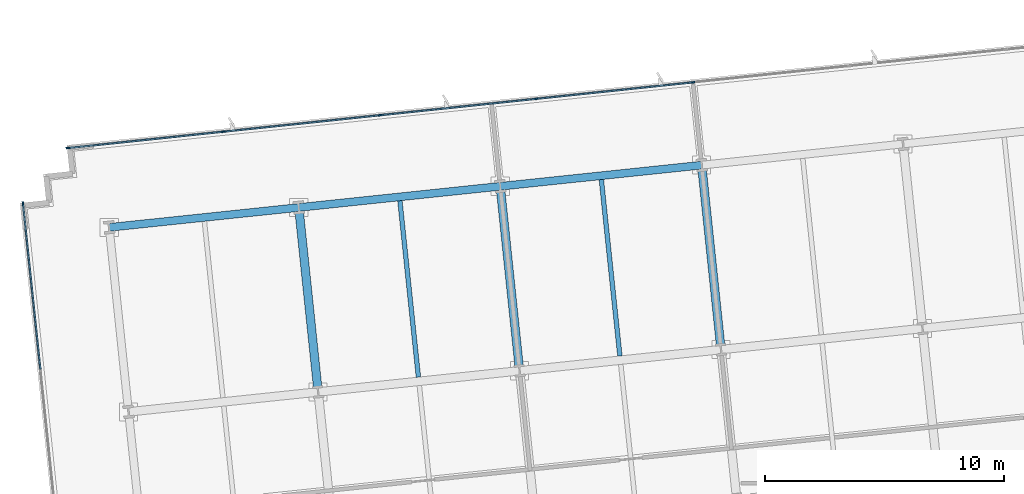
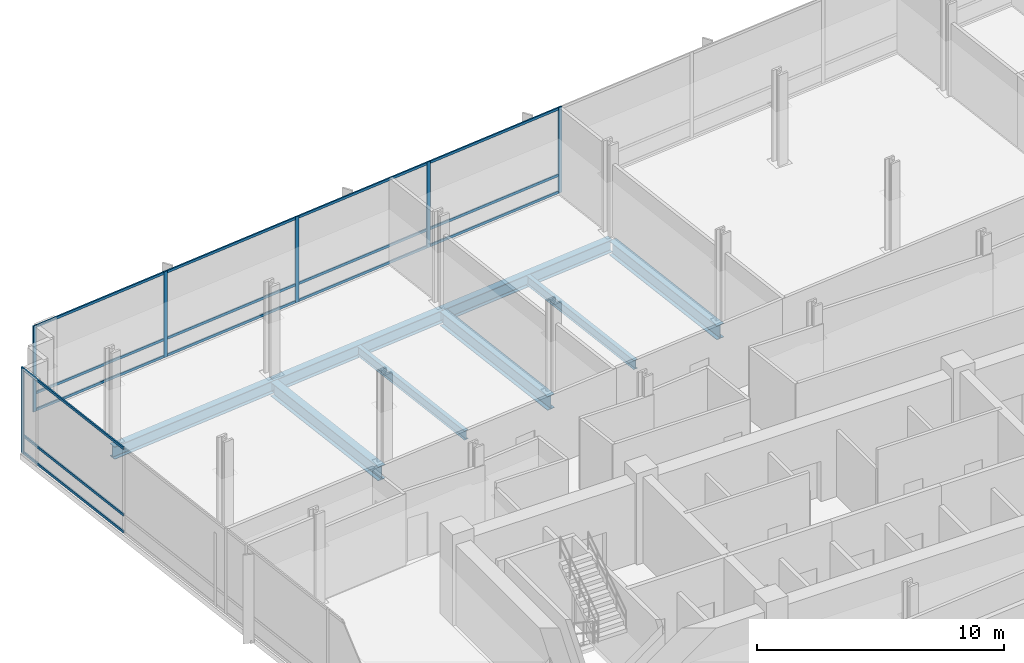
# One storey, part 9 of 20: 21 members, 8 beams, 2 elements without a shape of their own.
"""IFC4 building model written with IfcOpenShell, lengths in metres."""

from ifc_helpers import new_model, si_unit, direction, frame, origin, origin_2d, place, context, subcontext, project, spatial, rectangle, i_section, extrude, material, material_profile, profile_set, type_object, element, aggregate, save


model = new_model("IFC4")

# Units and contexts
model_context = context("Model", 3, precision=1e-05, world=origin(), true_north=direction((0.0, 1.0)))
body_context = subcontext(model_context, "Body", "Model", "MODEL_VIEW")
ifc_project = project(units=[si_unit("LENGTHUNIT", "METRE"), si_unit("AREAUNIT", "SQUARE_METRE"), si_unit("VOLUMEUNIT", "CUBIC_METRE"), si_unit("PLANEANGLEUNIT", "RADIAN"), si_unit("MASSUNIT", "GRAM", prefix="KILO")], contexts=[model_context])

# Site, building, storey
site_placement = place(None, origin())
site = spatial("IfcSite", under=ifc_project, at=site_placement, CompositionType="ELEMENT")
building_placement = place(site_placement, origin())
building = spatial("IfcBuilding", under=site, at=building_placement, Name="Solmavex Isthmus Hotel", CompositionType="ELEMENT")
storey_placement = place(building_placement, frame((0.0, 0.0, 101.85009765625)))
storey = spatial("IfcBuildingStorey", under=building, at=storey_placement, Name="L27", CompositionType="ELEMENT", Elevation=101.85009765625)

# Beams
ifc_material_1 = material(Name="Steel ASTM A992 Grade 50", Category="steel")
ifc_material_profile_1 = material_profile(ifc_material_1, i_section(OverallWidth=0.354736328125, OverallDepth=0.695556640625, WebThickness=0.015380859375, FlangeThickness=0.02490234375, FilletRadius=0.017822265625, at=origin_2d()), Name="W27X146")
ifc_profile_set_1 = profile_set([ifc_material_profile_1], Name="Steel ASTM A992 Grade 50")
beam_type_1 = type_object("IfcBeamType", Name="BM-BG-W27X146", PredefinedType="BEAM", material=ifc_profile_set_1)
for number, where, z_axis, x_axis, name in (
    (1, (-13.135498046875, 8.55859375, -0.60791015625), (-0.1045578893, 0.994518802128, 0.0), (-0.994518802128, -0.1045578893, 0.0), "Floor Beam L27-VG31"),
    (2, (-4.716064453125, 9.443603515625, -0.60791015625), (-0.104525307271, 0.994522227072, 0.0), (-0.994522227072, -0.104525307271, 0.0), "Floor Beam L27-VG35"),
):
    element("IfcBeam", number, at=place(storey_placement, frame(where, z_axis=z_axis, x_axis=x_axis)), inside=storey, type_object=beam_type_1, Name=name, PredefinedType="BEAM", context=body_context, shape_type="SweptSolid", body=[
        extrude(i_section(OverallWidth=0.354736328125, OverallDepth=0.695556640625, WebThickness=0.015380859375, FlangeThickness=0.02490234375, FilletRadius=0.017822265625, at=origin_2d()), origin(), (0.0, 0.0, 1.0), 7.4111328125),
    ])
beam_1_placement = place(storey_placement, frame((3.70361328125, 10.328369140625, -0.60791015625), z_axis=(-0.10452188296, 0.994522586964, 0.0), x_axis=(-0.994522586964, -0.10452188296, 0.0)))
element("IfcBeam", 3, at=beam_1_placement, inside=storey, type_object=beam_type_1, Name="Floor Beam L27-VG39", PredefinedType="BEAM", context=body_context, shape_type="SweptSolid", body=[
    extrude(i_section(OverallWidth=0.354736328125, OverallDepth=0.695556640625, WebThickness=0.015380859375, FlangeThickness=0.02490234375, FilletRadius=0.017822265625, at=origin_2d()), origin(), (0.0, 0.0, 1.0), 7.411376953125),
])
ifc_material_profile_2 = material_profile(ifc_material_1, i_section(OverallWidth=0.1904296875, OverallDepth=0.456787109375, WebThickness=0.009033203125, FlangeThickness=0.014404296875, FilletRadius=0.0126953125, at=origin_2d()), Name="W18X50")
ifc_profile_set_2 = profile_set([ifc_material_profile_2], Name="Steel ASTM A992 Grade 50")
beam_type_2 = type_object("IfcBeamType", Name="BM-BJ-W18X50", PredefinedType="JOIST", material=ifc_profile_set_2)
beam_2_placement = place(storey_placement, frame((-8.92578125, 9.0009765625, -0.488525390625), z_axis=(-0.10452188296, 0.994522586964, 0.0), x_axis=(-0.994522586964, -0.10452188296, 0.0)))
element("IfcBeam", 4, at=beam_2_placement, inside=storey, type_object=beam_type_2, Name="Secondary Floor Joist L27-J08", PredefinedType="JOIST", context=body_context, shape_type="SweptSolid", body=[
    extrude(i_section(OverallWidth=0.1904296875, OverallDepth=0.456787109375, WebThickness=0.009033203125, FlangeThickness=0.014404296875, FilletRadius=0.0126953125, at=origin_2d()), origin(), (0.0, 0.0, 1.0), 7.411376953125),
])
beam_3_placement = place(storey_placement, frame((-0.506103515625, 9.885986328125, -0.488525390625), z_axis=(-0.104525307271, 0.994522227072, 0.0), x_axis=(-0.994522227072, -0.104525307271, 0.0)))
element("IfcBeam", 5, at=beam_3_placement, inside=storey, type_object=beam_type_2, Name="Secondary Floor Joist L27-J12", PredefinedType="JOIST", context=body_context, shape_type="SweptSolid", body=[
    extrude(i_section(OverallWidth=0.1904296875, OverallDepth=0.456787109375, WebThickness=0.009033203125, FlangeThickness=0.014404296875, FilletRadius=0.0126953125, at=origin_2d()), origin(), (0.0, 0.0, 1.0), 7.4111328125),
])
ifc_material_profile_3 = material_profile(ifc_material_1, i_section(OverallWidth=0.326416015625, OverallDepth=0.621826171875, WebThickness=0.015380859375, FlangeThickness=0.0244140625, FilletRadius=0.01513671875, at=origin_2d()), Name="W24X131")
ifc_profile_set_3 = profile_set([ifc_material_profile_3], Name="Steel ASTM A992 Grade 50")
beam_type_3 = type_object("IfcBeamType", Name="BM-SP-W24X131", PredefinedType="SPANDREL", material=ifc_profile_set_3)
beam_4_placement = place(storey_placement, frame((-21.851806640625, 15.2587890625, -0.571044921875), z_axis=(0.994523402738, 0.104514120609, 0.0), x_axis=(-0.104514120609, 0.994523402738, 0.0)))
element("IfcBeam", 6, at=beam_4_placement, inside=storey, type_object=beam_type_3, Name="Floor Girder L27-UG19", PredefinedType="SPANDREL", context=body_context, shape_type="SweptSolid", body=[
    extrude(i_section(OverallWidth=0.326416015625, OverallDepth=0.621826171875, WebThickness=0.015380859375, FlangeThickness=0.0244140625, FilletRadius=0.01513671875, at=origin_2d()), origin(), (0.0, 0.0, 1.0), 7.968017578125),
])
for number, where, z_axis, x_axis, name in (
    (7, (-13.927490234375, 16.091552734375, -0.571044921875), (0.994521085209, 0.104536171134, 0.0), (-0.104536171134, 0.994521085209, 0.0), "Floor Girder L27-UG20"),
    (8, (-5.5078125, 16.9765625, -0.571044921875), (0.994521085209, 0.104536171134, 0.0), (-0.104536171134, 0.994521085209, 0.0), "Floor Girder L27-UG21"),
):
    element("IfcBeam", number, at=place(storey_placement, frame(where, z_axis=z_axis, x_axis=x_axis)), inside=storey, type_object=beam_type_3, Name=name, PredefinedType="SPANDREL", context=body_context, shape_type="SweptSolid", body=[
        extrude(i_section(OverallWidth=0.326416015625, OverallDepth=0.621826171875, WebThickness=0.015380859375, FlangeThickness=0.0244140625, FilletRadius=0.01513671875, at=origin_2d()), origin(), (0.0, 0.0, 1.0), 8.466064453125),
    ])

# Curtain wall, members
ifc_material_2 = material(Name="Aluminium alloy 6063-T6", Category="aluminium")
curtain_wall_type = type_object("IfcCurtainWallType", Name="CW-SYS-05", PredefinedType="NOTDEFINED", material=ifc_material_2)
curtain_wall_1_placement = place(storey_placement, origin())
curtain_wall_1 = element("IfcCurtainWall", 9, at=curtain_wall_1_placement, inside=storey, type_object=curtain_wall_type, Name="Stick Curtain Wall CWL-L27-N1", PredefinedType="NOTDEFINED")
ifc_material_profile_4 = material_profile(ifc_material_2, rectangle(XDim=0.06494140625, YDim=0.159912109375, at=origin_2d()), Name="CWM-65X160")
ifc_profile_set_4 = profile_set([ifc_material_profile_4], Name="Aluminium alloy 6063-T6")
member_type_1 = type_object("IfcMemberType", Name="CW-SYS-05-MUL", PredefinedType="MULLION", material=ifc_profile_set_4)
member_1_placement = place(storey_placement, frame((-23.575439453125, 18.57666015625, 0.0), z_axis=(0.0, 0.0, 1.0), x_axis=(-0.104528331835, 0.994521909182, 0.0)))
member_1 = element("IfcMember", 10, at=member_1_placement, type_object=member_type_1, Name="CW-05 mullion 1", PredefinedType="MULLION", context=body_context, shape_type="SweptSolid", body=[
    extrude(rectangle(XDim=0.06494140625, YDim=0.159912109375, at=origin_2d()), origin(), (0.0, 0.0, 1.0), 4.239990234375),
])
member_2_placement = place(storey_placement, frame((-17.06884765625, 19.2607421875, 0.0), z_axis=(0.0, 0.0, 1.0), x_axis=(-0.104528331835, 0.994521909182, 0.0)))
member_2 = element("IfcMember", 11, at=member_2_placement, type_object=member_type_1, Name="CW-05 mullion 2", PredefinedType="MULLION", context=body_context, shape_type="SweptSolid", body=[
    extrude(rectangle(XDim=0.06494140625, YDim=0.159912109375, at=origin_2d()), origin(), (0.0, 0.0, 1.0), 4.239990234375),
])
member_3_placement = place(storey_placement, frame((-10.52978515625, 19.947998046875, 0.0), z_axis=(0.0, 0.0, 1.0), x_axis=(-0.104528331835, 0.994521909182, 0.0)))
member_3 = element("IfcMember", 12, at=member_3_placement, type_object=member_type_1, Name="CW-05 mullion 3", PredefinedType="MULLION", context=body_context, shape_type="SweptSolid", body=[
    extrude(rectangle(XDim=0.06494140625, YDim=0.159912109375, at=origin_2d()), origin(), (0.0, 0.0, 1.0), 4.239990234375),
])
member_4_placement = place(storey_placement, frame((-3.990966796875, 20.63525390625, 0.0), z_axis=(0.0, 0.0, 1.0), x_axis=(-0.104528331835, 0.994521909182, 0.0)))
member_4 = element("IfcMember", 13, at=member_4_placement, type_object=member_type_1, Name="CW-05 mullion 4", PredefinedType="MULLION", context=body_context, shape_type="SweptSolid", body=[
    extrude(rectangle(XDim=0.06494140625, YDim=0.159912109375, at=origin_2d()), origin(), (0.0, 0.0, 1.0), 4.239990234375),
])
member_5_placement = place(storey_placement, frame((2.548095703125, 21.322509765625, 0.0), z_axis=(0.0, 0.0, 1.0), x_axis=(-0.104528331835, 0.994521909182, 0.0)))
member_5 = element("IfcMember", 14, at=member_5_placement, type_object=member_type_1, Name="CW-05 mullion 5", PredefinedType="MULLION", context=body_context, shape_type="SweptSolid", body=[
    extrude(rectangle(XDim=0.06494140625, YDim=0.159912109375, at=origin_2d()), origin(), (0.0, 0.0, 1.0), 4.239990234375),
])

# Curtain wall, member
curtain_wall_2_placement = place(storey_placement, origin())
curtain_wall_2 = element("IfcCurtainWall", 15, at=curtain_wall_2_placement, inside=storey, type_object=curtain_wall_type, Name="Stick Curtain Wall CWL-L27-W1", PredefinedType="NOTDEFINED")
member_6_placement = place(storey_placement, frame((-25.45556640625, 16.255126953125, 0.0), z_axis=(0.0, 0.0, 1.0), x_axis=(-0.994521893044, -0.104528485381, 0.0)))
member_6 = element("IfcMember", 16, at=member_6_placement, type_object=member_type_1, Name="CW-05 mullion 6", PredefinedType="MULLION", context=body_context, shape_type="SweptSolid", body=[
    extrude(rectangle(XDim=0.06494140625, YDim=0.159912109375, at=origin_2d()), origin(), (0.0, 0.0, 1.0), 4.239990234375),
])

# Member
ifc_material_profile_5 = material_profile(ifc_material_2, rectangle(XDim=0.06494140625, YDim=0.125, at=origin_2d()), Name="CWT-65X125")
ifc_profile_set_5 = profile_set([ifc_material_profile_5], Name="Aluminium alloy 6063-T6")
member_type_2 = type_object("IfcMemberType", Name="CW-SYS-05-TRN", PredefinedType="USERDEFINED", material=ifc_profile_set_5)
member_7_placement = place(storey_placement, frame((-23.543212890625, 18.580078125, 0.0625), z_axis=(0.994519487278, 0.10455137218, 0.0), x_axis=(-0.10455137218, 0.994519487278, 0.0)))
member_7 = element("IfcMember", 17, at=member_7_placement, type_object=member_type_2, Name="CW-05 transom 1.1", ObjectType="TRANSOM", PredefinedType="USERDEFINED", context=body_context, shape_type="SweptSolid", body=[
    extrude(rectangle(XDim=0.06494140625, YDim=0.125, at=origin_2d()), origin(), (0.0, 0.0, 1.0), 6.4775390625),
])

member_8_placement = place(storey_placement, frame((-23.543212890625, 18.580078125, 0.89990234375), z_axis=(0.994519487278, 0.10455137218, 0.0), x_axis=(-0.10455137218, 0.994519487278, 0.0)))
member_8 = element("IfcMember", 18, at=member_8_placement, type_object=member_type_2, Name="CW-05 transom 1.2", ObjectType="TRANSOM", PredefinedType="USERDEFINED", context=body_context, shape_type="SweptSolid", body=[
    extrude(rectangle(XDim=0.06494140625, YDim=0.125, at=origin_2d()), origin(), (0.0, 0.0, 1.0), 6.4775390625),
])

member_9_placement = place(storey_placement, frame((-23.543212890625, 18.580078125, 4.177490234375), z_axis=(0.994519487278, 0.10455137218, 0.0), x_axis=(-0.10455137218, 0.994519487278, 0.0)))
member_9 = element("IfcMember", 19, at=member_9_placement, type_object=member_type_2, Name="CW-05 transom 1.3", ObjectType="TRANSOM", PredefinedType="USERDEFINED", context=body_context, shape_type="SweptSolid", body=[
    extrude(rectangle(XDim=0.06494140625, YDim=0.125, at=origin_2d()), origin(), (0.0, 0.0, 1.0), 6.4775390625),
])

member_10_placement = place(storey_placement, frame((-17.03662109375, 19.26416015625, 0.0625), z_axis=(0.994522905893, 0.104518848325, 0.0), x_axis=(-0.104518848325, 0.994522905893, 0.0)))
member_10 = element("IfcMember", 20, at=member_10_placement, type_object=member_type_2, Name="CW-05 transom 2.1", ObjectType="TRANSOM", PredefinedType="USERDEFINED", context=body_context, shape_type="SweptSolid", body=[
    extrude(rectangle(XDim=0.06494140625, YDim=0.125, at=origin_2d()), origin(), (0.0, 0.0, 1.0), 6.510009765625),
])

member_11_placement = place(storey_placement, frame((-17.03662109375, 19.26416015625, 0.89990234375), z_axis=(0.994522905893, 0.104518848325, 0.0), x_axis=(-0.104518848325, 0.994522905893, 0.0)))
member_11 = element("IfcMember", 21, at=member_11_placement, type_object=member_type_2, Name="CW-05 transom 2.2", ObjectType="TRANSOM", PredefinedType="USERDEFINED", context=body_context, shape_type="SweptSolid", body=[
    extrude(rectangle(XDim=0.06494140625, YDim=0.125, at=origin_2d()), origin(), (0.0, 0.0, 1.0), 6.510009765625),
])

member_12_placement = place(storey_placement, frame((-17.03662109375, 19.26416015625, 4.177490234375), z_axis=(0.994522905893, 0.104518848325, 0.0), x_axis=(-0.104518848325, 0.994522905893, 0.0)))
member_12 = element("IfcMember", 22, at=member_12_placement, type_object=member_type_2, Name="CW-05 transom 2.3", ObjectType="TRANSOM", PredefinedType="USERDEFINED", context=body_context, shape_type="SweptSolid", body=[
    extrude(rectangle(XDim=0.06494140625, YDim=0.125, at=origin_2d()), origin(), (0.0, 0.0, 1.0), 6.510009765625),
])

member_13_placement = place(storey_placement, frame((-10.49755859375, 19.951416015625, 0.0625), z_axis=(0.994522905893, 0.104518848325, 0.0), x_axis=(-0.104518848325, 0.994522905893, 0.0)))
member_13 = element("IfcMember", 23, at=member_13_placement, type_object=member_type_2, Name="CW-05 transom 3.1", ObjectType="TRANSOM", PredefinedType="USERDEFINED", context=body_context, shape_type="SweptSolid", body=[
    extrude(rectangle(XDim=0.06494140625, YDim=0.125, at=origin_2d()), origin(), (0.0, 0.0, 1.0), 6.510009765625),
])

member_14_placement = place(storey_placement, frame((-10.49755859375, 19.951416015625, 0.89990234375), z_axis=(0.994522905893, 0.104518848325, 0.0), x_axis=(-0.104518848325, 0.994522905893, 0.0)))
member_14 = element("IfcMember", 24, at=member_14_placement, type_object=member_type_2, Name="CW-05 transom 3.2", ObjectType="TRANSOM", PredefinedType="USERDEFINED", context=body_context, shape_type="SweptSolid", body=[
    extrude(rectangle(XDim=0.06494140625, YDim=0.125, at=origin_2d()), origin(), (0.0, 0.0, 1.0), 6.510009765625),
])

member_15_placement = place(storey_placement, frame((-10.49755859375, 19.951416015625, 4.177490234375), z_axis=(0.994522905893, 0.104518848325, 0.0), x_axis=(-0.104518848325, 0.994522905893, 0.0)))
member_15 = element("IfcMember", 25, at=member_15_placement, type_object=member_type_2, Name="CW-05 transom 3.3", ObjectType="TRANSOM", PredefinedType="USERDEFINED", context=body_context, shape_type="SweptSolid", body=[
    extrude(rectangle(XDim=0.06494140625, YDim=0.125, at=origin_2d()), origin(), (0.0, 0.0, 1.0), 6.510009765625),
])

member_16_placement = place(storey_placement, frame((-3.95849609375, 20.638671875, 0.0625), z_axis=(0.994522905893, 0.104518848325, 0.0), x_axis=(-0.104518848325, 0.994522905893, 0.0)))
member_16 = element("IfcMember", 26, at=member_16_placement, type_object=member_type_2, Name="CW-05 transom 4.1", ObjectType="TRANSOM", PredefinedType="USERDEFINED", context=body_context, shape_type="SweptSolid", body=[
    extrude(rectangle(XDim=0.06494140625, YDim=0.125, at=origin_2d()), origin(), (0.0, 0.0, 1.0), 6.510009765625),
])

member_17_placement = place(storey_placement, frame((-3.95849609375, 20.638671875, 0.89990234375), z_axis=(0.994522905893, 0.104518848325, 0.0), x_axis=(-0.104518848325, 0.994522905893, 0.0)))
member_17 = element("IfcMember", 27, at=member_17_placement, type_object=member_type_2, Name="CW-05 transom 4.2", ObjectType="TRANSOM", PredefinedType="USERDEFINED", context=body_context, shape_type="SweptSolid", body=[
    extrude(rectangle(XDim=0.06494140625, YDim=0.125, at=origin_2d()), origin(), (0.0, 0.0, 1.0), 6.510009765625),
])

member_18_placement = place(storey_placement, frame((-3.95849609375, 20.638671875, 4.177490234375), z_axis=(0.994522905893, 0.104518848325, 0.0), x_axis=(-0.104518848325, 0.994522905893, 0.0)))
member_18 = element("IfcMember", 28, at=member_18_placement, type_object=member_type_2, Name="CW-05 transom 4.3", ObjectType="TRANSOM", PredefinedType="USERDEFINED", context=body_context, shape_type="SweptSolid", body=[
    extrude(rectangle(XDim=0.06494140625, YDim=0.125, at=origin_2d()), origin(), (0.0, 0.0, 1.0), 6.510009765625),
])

aggregate(curtain_wall_1, [member_1, member_2, member_3, member_4, member_5, member_7, member_8, member_9, member_10, member_11, member_12, member_13, member_14, member_15, member_16, member_17, member_18])

member_19_placement = place(storey_placement, frame((-24.728515625, 9.338134765625, 0.0625), z_axis=(-0.10453424226, 0.994521287955, 0.0), x_axis=(-0.994521287955, -0.10453424226, 0.0)))
member_19 = element("IfcMember", 29, at=member_19_placement, type_object=member_type_2, Name="CW-05 transom 5.1", ObjectType="TRANSOM", PredefinedType="USERDEFINED", context=body_context, shape_type="SweptSolid", body=[
    extrude(rectangle(XDim=0.06494140625, YDim=0.125, at=origin_2d()), origin(), (0.0, 0.0, 1.0), 6.92236328125),
])

member_20_placement = place(storey_placement, frame((-24.728515625, 9.338134765625, 0.89990234375), z_axis=(-0.10453424226, 0.994521287955, 0.0), x_axis=(-0.994521287955, -0.10453424226, 0.0)))
member_20 = element("IfcMember", 30, at=member_20_placement, type_object=member_type_2, Name="CW-05 transom 5.2", ObjectType="TRANSOM", PredefinedType="USERDEFINED", context=body_context, shape_type="SweptSolid", body=[
    extrude(rectangle(XDim=0.06494140625, YDim=0.125, at=origin_2d()), origin(), (0.0, 0.0, 1.0), 6.92236328125),
])

member_21_placement = place(storey_placement, frame((-24.728515625, 9.338134765625, 4.177490234375), z_axis=(-0.10453424226, 0.994521287955, 0.0), x_axis=(-0.994521287955, -0.10453424226, 0.0)))
member_21 = element("IfcMember", 31, at=member_21_placement, type_object=member_type_2, Name="CW-05 transom 5.3", ObjectType="TRANSOM", PredefinedType="USERDEFINED", context=body_context, shape_type="SweptSolid", body=[
    extrude(rectangle(XDim=0.06494140625, YDim=0.125, at=origin_2d()), origin(), (0.0, 0.0, 1.0), 6.92236328125),
])

aggregate(curtain_wall_2, [member_6, member_19, member_20, member_21])

save(model, "model.ifc")
